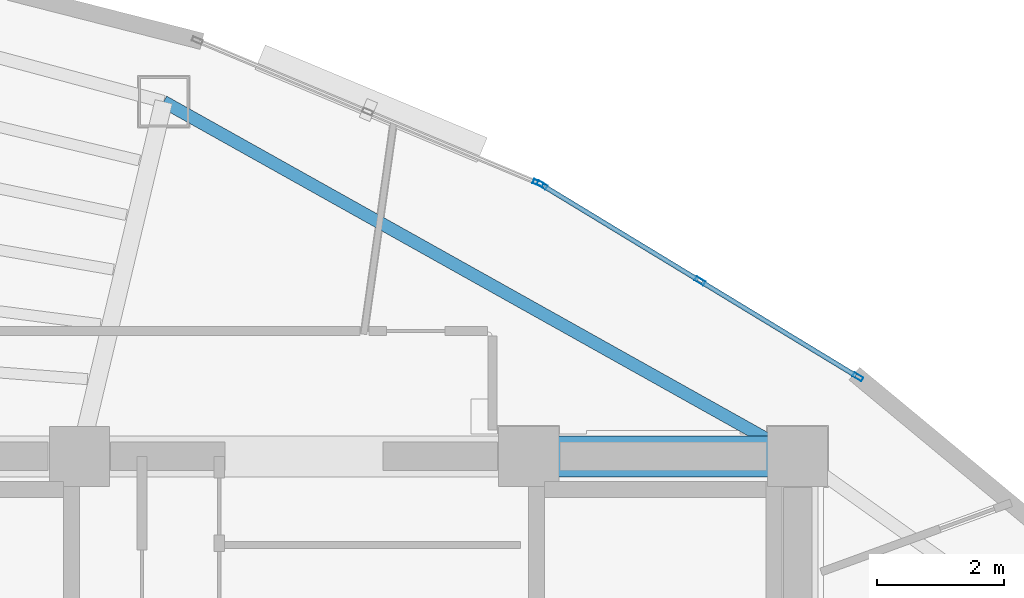
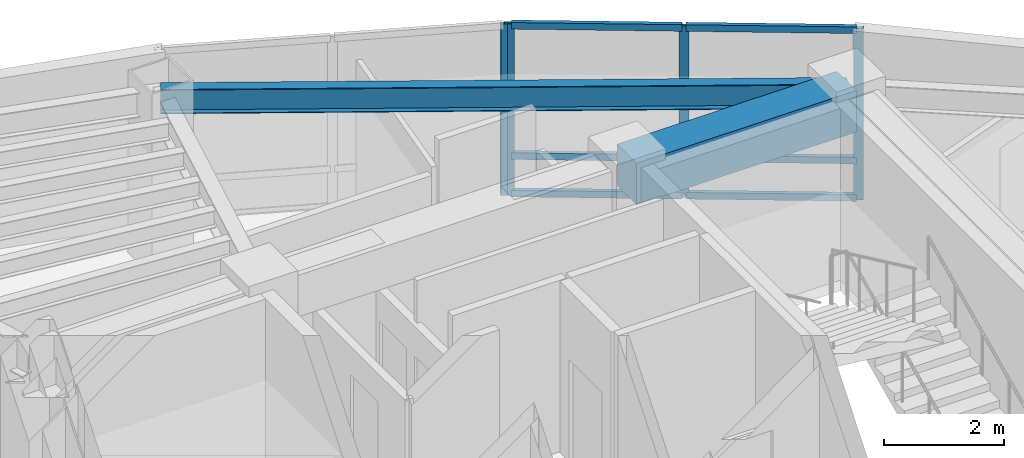
# One storey, part 10 of 16: 10 members, 2 beams, 2 elements without a shape of their own.
"""IFC4 building model written with IfcOpenShell, lengths in metres."""

import ifcopenshell
import ifcopenshell.guid

model = None  # the IFC model being written
_history = None  # IfcOwnerHistory: only IFC2X3 demands one
_inside = {}  # id of a spatial element -> (the spatial element, [elements in it])
_under = {}  # id of a project, library or spatial element -> (it, [spatial elements below it])
_declared = {}  # id of a project -> (the project, [libraries it declares])
_typed = {}  # id of a type object -> (the type object, [elements of that type])
_made_of = {}  # id of a material, layer set ... -> (it, [elements and type objects made of it])


def new_model(schema):
    """Start an empty IFC model of exactly this schema.

    Asked for "IFC4X3", IfcOpenShell would pick the latest addendum, in which some entities
    have other attributes; the version numbers below select the first issue.
    IFC2X3 requires an IfcOwnerHistory on every rooted entity: one is made here for all.
    """
    global model, _history
    if schema == "IFC4X3":
        model = ifcopenshell.file(schema_version=(4, 3, 0, 0))
    else:
        model = ifcopenshell.file(schema=schema)
    _inside.clear()
    _under.clear()
    _declared.clear()
    _typed.clear()
    _made_of.clear()
    _history = None
    if model.schema == "IFC2X3":
        org = make("IfcOrganization", Name="unknown")
        user = make(
            "IfcPersonAndOrganization",
            ThePerson=make("IfcPerson", FamilyName="unknown"),
            TheOrganization=org,
        )
        app = make(
            "IfcApplication",
            ApplicationDeveloper=org,
            Version="unknown",
            ApplicationFullName="unknown",
            ApplicationIdentifier="unknown",
        )
        _history = make(
            "IfcOwnerHistory",
            OwningUser=user,
            OwningApplication=app,
            ChangeAction="ADDED",
            CreationDate=0,
        )
    return model


def make(cls, **values):
    """One entity of the class cls with the attributes given. An attribute that is None is left unset."""
    return model.create_entity(
        cls, **{name: value for name, value in values.items() if value is not None}
    )


def rooted(cls, **values):
    """An entity with a GlobalId (a new one), such as an element, a storey or a relation."""
    return make(cls, GlobalId=ifcopenshell.guid.new(), OwnerHistory=_history, **values)


def si_unit(unit_type, name, prefix=None):
    """IfcSIUnit, for example si_unit("LENGTHUNIT", "METRE", prefix="MILLI")."""
    return make("IfcSIUnit", UnitType=unit_type, Prefix=prefix, Name=name)


def assignment(units):
    """IfcUnitAssignment: the units of a project."""
    return None if units is None else make("IfcUnitAssignment", Units=units)


def point(xyz):
    """IfcCartesianPoint."""
    return None if xyz is None else make("IfcCartesianPoint", Coordinates=xyz)


def direction(xyz):
    """IfcDirection."""
    return None if xyz is None else make("IfcDirection", DirectionRatios=xyz)


def frame(location, z_axis=None, x_axis=None):
    """IfcAxis2Placement3D, a coordinate frame: its origin and axes. An axis left out is left unset."""
    return make(
        "IfcAxis2Placement3D",
        Location=point(location),
        Axis=direction(z_axis),
        RefDirection=direction(x_axis),
    )


def frame_2d(location, x_axis=None):
    """IfcAxis2Placement2D, a coordinate frame in the plane: its origin and x axis."""
    return make(
        "IfcAxis2Placement2D", Location=point(location), RefDirection=direction(x_axis)
    )


def origin():
    """The frame at (0, 0, 0) with its axes left unset."""
    return frame((0.0, 0.0, 0.0))


def origin_2d():
    """The frame at (0, 0) in the plane with its x axis left unset."""
    return frame_2d((0.0, 0.0))


def place(relative_to, where):
    """IfcLocalPlacement: puts the frame where relative to a parent placement (None: the world)."""
    return make(
        "IfcLocalPlacement", PlacementRelTo=relative_to, RelativePlacement=where
    )


def context(
    kind, dimensions, precision=None, world=None, true_north=None, identifier=None
):
    """IfcGeometricRepresentationContext, for example the 3D "Model" context."""
    return make(
        "IfcGeometricRepresentationContext",
        ContextIdentifier=identifier,
        ContextType=kind,
        CoordinateSpaceDimension=dimensions,
        Precision=precision,
        WorldCoordinateSystem=world,
        TrueNorth=true_north,
    )


def subcontext(parent, identifier, kind, view, scale=None):
    """IfcGeometricRepresentationSubContext, for example "Body" below "Model"."""
    return make(
        "IfcGeometricRepresentationSubContext",
        ContextIdentifier=identifier,
        ContextType=kind,
        ParentContext=parent,
        TargetScale=scale,
        TargetView=view,
    )


def project(units=None, contexts=None):
    """IfcProject with its units and contexts."""
    return rooted(
        "IfcProject",
        Name="project",
        RepresentationContexts=contexts,
        UnitsInContext=assignment(units),
    )


def spatial(cls, under=None, at=None, **own):
    """A site, building, storey or space (cls), placed at a placement, below another one or the project."""
    s = rooted(cls, ObjectPlacement=at, **own)
    if under is not None:
        _under.setdefault(under.id(), (under, []))[1].append(s)
    return s


def profile(cls, at=None, kind="AREA", **sizes):
    """A parametric profile (cls). Its sizes go by their IFC names, for example OverallWidth=200.0."""
    return make(cls, ProfileType=kind, Position=at, **sizes)


def rectangle(**sizes):
    """IfcRectangleProfileDef."""
    return profile("IfcRectangleProfileDef", **sizes)


def hollow_rectangle(**sizes):
    """IfcRectangleHollowProfileDef."""
    return profile("IfcRectangleHollowProfileDef", **sizes)


def i_section(**sizes):
    """IfcIShapeProfileDef."""
    return profile("IfcIShapeProfileDef", **sizes)


def extrude(swept, where, along, depth):
    """IfcExtrudedAreaSolid: the profile swept, set in the frame where, extruded along a direction by depth."""
    return make(
        "IfcExtrudedAreaSolid",
        SweptArea=swept,
        Position=where,
        ExtrudedDirection=direction(along),
        Depth=depth,
    )


def shape(context_of_items, identifier, shape_type, items):
    """IfcShapeRepresentation: the items that make up one representation, for example the "Body"."""
    return make(
        "IfcShapeRepresentation",
        ContextOfItems=context_of_items,
        RepresentationIdentifier=identifier,
        RepresentationType=shape_type,
        Items=items,
    )


def material(Name=None, Category=None):
    """IfcMaterial."""
    return make("IfcMaterial", Name=Name, Category=Category)


def layer(
    of_material, thickness, ventilated=None, Name=None, Category=None, Priority=None
):
    """IfcMaterialLayer: one layer of a wall or slab, of a material (None: an air gap)."""
    return make(
        "IfcMaterialLayer",
        Material=of_material,
        LayerThickness=thickness,
        IsVentilated=ventilated,
        Name=Name,
        Category=Category,
        Priority=Priority,
    )


def layer_set(layers, Name=None):
    """IfcMaterialLayerSet."""
    return make("IfcMaterialLayerSet", MaterialLayers=layers, LayerSetName=Name)


def material_profile(
    of_material, cross_section, Name=None, Category=None, Priority=None
):
    """IfcMaterialProfile: a cross section and its material."""
    return make(
        "IfcMaterialProfile",
        Name=Name,
        Material=of_material,
        Profile=cross_section,
        Priority=Priority,
        Category=Category,
    )


def profile_set(profiles, Name=None, composite=None):
    """IfcMaterialProfileSet."""
    return make(
        "IfcMaterialProfileSet",
        Name=Name,
        MaterialProfiles=profiles,
        CompositeProfile=composite,
    )


def made_of(thing, what):
    """Note that an element or type object is made of a material, layer set ...; save() writes the relation."""
    if what is not None:
        _made_of.setdefault(what.id(), (what, []))[1].append(thing)
    return thing


def type_object(cls, material=None, **own):
    """A type object (cls), such as IfcWallType, which elements share."""
    return made_of(rooted(cls, **own), material)


def element(
    cls,
    number,
    at=None,
    inside=None,
    cuts=None,
    type_object=None,
    material=None,
    context=None,
    identifier="Body",
    shape_type=None,
    held_by="IfcProductDefinitionShape",
    body=None,
    shapes=None,
    **own,
):
    """One element of the class cls, such as IfcWall. Its Tag is "e" and its number.

    at: its placement. inside: the storey or other place that contains it. cuts: it is an
    opening in that element (IfcRelVoidsElement). A single representation is given by context,
    identifier, shape_type and body (its items); several are given by shapes. held_by: the class
    of the entity that holds the representations. save() writes the other relations.
    """
    e = rooted(cls, Tag="e%d" % number, ObjectPlacement=at, **own)
    if body is not None:
        shapes = [shape(context, identifier, shape_type, body)]
    if shapes is not None:
        e.Representation = make(held_by, Representations=shapes)
    if inside is not None:
        _inside.setdefault(inside.id(), (inside, []))[1].append(e)
    if cuts is not None:
        rooted(
            "IfcRelVoidsElement", RelatingBuildingElement=cuts, RelatedOpeningElement=e
        )
    if type_object is not None:
        _typed.setdefault(type_object.id(), (type_object, []))[1].append(e)
    return made_of(e, material)


def aggregate(whole, parts):
    """IfcRelAggregates: a whole, such as a stair, and the parts it consists of."""
    return rooted("IfcRelAggregates", RelatingObject=whole, RelatedObjects=parts)


def save(model, path):
    """Write the relations noted so far, then the file.

    IfcRelAggregates (storeys below a building ...), IfcRelContainedInSpatialStructure (elements
    in a storey), IfcRelDefinesByType, IfcRelAssociatesMaterial and IfcRelDeclares: one each for
    every whole, place, type object, material and project.
    """
    for whole, parts in _under.values():
        aggregate(whole, parts)
    for where, things in _inside.values():
        rooted(
            "IfcRelContainedInSpatialStructure",
            RelatedElements=things,
            RelatingStructure=where,
        )
    for kind, things in _typed.values():
        rooted("IfcRelDefinesByType", RelatedObjects=things, RelatingType=kind)
    for what, things in _made_of.values():
        rooted("IfcRelAssociatesMaterial", RelatedObjects=things, RelatingMaterial=what)
    for by, libraries in _declared.values():
        rooted("IfcRelDeclares", RelatingContext=by, RelatedDefinitions=libraries)
    model.write(path)


model = new_model("IFC4")

# Units and contexts
model_context = context("Model", 3, precision=1e-05, world=origin(), true_north=direction((0.0, 1.0)))
body_context = subcontext(model_context, "Body", "Model", "MODEL_VIEW")
ifc_project = project(units=[si_unit("LENGTHUNIT", "METRE"), si_unit("AREAUNIT", "SQUARE_METRE"), si_unit("VOLUMEUNIT", "CUBIC_METRE"), si_unit("PLANEANGLEUNIT", "RADIAN"), si_unit("MASSUNIT", "GRAM", prefix="KILO")], contexts=[model_context])

# Site, building, storey
site_placement = place(None, origin())
site = spatial("IfcSite", under=ifc_project, at=site_placement, CompositionType="ELEMENT")
building_placement = place(site_placement, origin())
building = spatial("IfcBuilding", under=site, at=building_placement, Name="Menara Vayukalpa", CompositionType="ELEMENT")
storey_placement = place(building_placement, frame((0.0, 0.0, 273.179931640625)))
storey = spatial("IfcBuildingStorey", under=building, at=storey_placement, Name="L69", CompositionType="ELEMENT", Elevation=273.179931640625)

# Beams
ifc_material_1 = material(Name="Concrete C60/75", Category="concrete")
ifc_material_profile_1 = material_profile(ifc_material_1, rectangle(XDim=0.64990234375, YDim=0.85009765625, at=origin_2d()), Name="RC 650x850")
ifc_profile_set_1 = profile_set([ifc_material_profile_1], Name="Concrete C60/75")
beam_type_1 = type_object("IfcBeamType", Name="BM-CB1", PredefinedType="BEAM", material=ifc_profile_set_1)
beam_1_placement = place(storey_placement, frame((29.14990234375, 26.800048828125, 3.074951171875), z_axis=(1.0, 0.0, 0.0), x_axis=(0.0, 1.0, 0.0)))
element("IfcBeam", 1, at=beam_1_placement, inside=storey, type_object=beam_type_1, Name="L69 Core Tie Beam CBR6", PredefinedType="BEAM", context=body_context, shape_type="SweptSolid", body=[
    extrude(rectangle(XDim=0.64990234375, YDim=0.85009765625, at=origin_2d()), origin(), (0.0, 0.0, 1.0), 4.25),
])
ifc_material_2 = material(Name="Steel S355", Category="steel")
ifc_material_profile_2 = material_profile(ifc_material_2, i_section(OverallWidth=0.199951171875, OverallDepth=0.5, WebThickness=0.010009765625, FlangeThickness=0.01611328125, at=origin_2d()), Name="WF 500x200x10x16")
ifc_profile_set_2 = profile_set([ifc_material_profile_2], Name="Steel S355")
beam_type_2 = type_object("IfcBeamType", Name="BM-SP3", PredefinedType="SPANDREL", material=ifc_profile_set_2)
beam_2_placement = place(storey_placement, frame((33.39990234375, 26.800048828125, 3.25), z_axis=(-0.87270577288, 0.48824648896, 0.0), x_axis=(-0.48824648896, -0.87270577288, 0.0)))
element("IfcBeam", 2, at=beam_2_placement, inside=storey, type_object=beam_type_2, Name="L69 Perimeter Spandrel Beam SP02", PredefinedType="SPANDREL", context=body_context, shape_type="SweptSolid", body=[
    extrude(i_section(OverallWidth=0.199951171875, OverallDepth=0.5, WebThickness=0.010009765625, FlangeThickness=0.01611328125, at=origin_2d()), origin(), (0.0, 0.0, 1.0), 11.479248046875),
])

# Curtain wall, members
ifc_material_3 = material(Name="Anodised Terracotta Aluminium Alloy 6063-T6", Category="masonry")
ifc_layer = layer(ifc_material_3, 0.1650390625)
ifc_layer_set = layer_set([ifc_layer], Name="Anodised Terracotta Aluminium Alloy 6063-T6")
curtain_wall_type = type_object("IfcCurtainWallType", Name="CW-CW6", PredefinedType="USERDEFINED", material=ifc_layer_set)
curtain_wall_1_placement = place(storey_placement, origin())
curtain_wall_1 = element("IfcCurtainWall", 3, at=curtain_wall_1_placement, inside=storey, type_object=curtain_wall_type, Name="L69 Observation and Executive Curtain Wall CW6 04", ObjectType="UNITISED", PredefinedType="USERDEFINED")
ifc_material_4 = material(Name="Anodised Terracotta Aluminium Alloy 6063-T6", Category="masonry")
ifc_material_profile_3 = material_profile(ifc_material_4, hollow_rectangle(XDim=0.070068359375, YDim=0.1650390625, WallThickness=0.00390625, at=origin_2d()), Name="ALU 70x165x4")
ifc_profile_set_3 = profile_set([ifc_material_profile_3], Name="Anodised Terracotta Aluminium Alloy 6063-T6")
member_type_1 = type_object("IfcMemberType", Name="CWM-CW6", PredefinedType="MULLION", material=ifc_profile_set_3)
member_1_placement = place(storey_placement, frame((34.35009765625, 28.056396484375, 0.0), z_axis=(0.0, 0.0, 1.0), x_axis=(-0.519175574558, -0.854667609532, 0.0)))
member_1 = element("IfcMember", 4, at=member_1_placement, type_object=member_type_1, Name="CW6 mullion 1", PredefinedType="MULLION", context=body_context, shape_type="SweptSolid", body=[
    extrude(hollow_rectangle(XDim=0.070068359375, YDim=0.1650390625, WallThickness=0.00390625, at=origin_2d()), origin(), (0.0, 0.0, 1.0), 3.5),
])
member_2_placement = place(storey_placement, frame((31.85546875, 29.57177734375, 0.0), z_axis=(0.0, 0.0, 1.0), x_axis=(-0.519175574558, -0.854667609532, 0.0)))
member_2 = element("IfcMember", 5, at=member_2_placement, type_object=member_type_1, Name="CW6 mullion 2", PredefinedType="MULLION", context=body_context, shape_type="SweptSolid", body=[
    extrude(hollow_rectangle(XDim=0.070068359375, YDim=0.1650390625, WallThickness=0.00390625, at=origin_2d()), origin(), (0.0, 0.0, 1.0), 3.5),
])
member_3_placement = place(storey_placement, frame((29.36083984375, 31.087158203125, 0.0), z_axis=(0.0, 0.0, 1.0), x_axis=(-0.519175574558, -0.854667609532, 0.0)))
member_3 = element("IfcMember", 6, at=member_3_placement, type_object=member_type_1, Name="CW6 mullion 3", PredefinedType="MULLION", context=body_context, shape_type="SweptSolid", body=[
    extrude(hollow_rectangle(XDim=0.070068359375, YDim=0.1650390625, WallThickness=0.00390625, at=origin_2d()), origin(), (0.0, 0.0, 1.0), 3.5),
])

# Curtain wall, member
curtain_wall_2_placement = place(storey_placement, origin())
curtain_wall_2 = element("IfcCurtainWall", 7, at=curtain_wall_2_placement, inside=storey, type_object=curtain_wall_type, Name="L69 Observation and Executive Curtain Wall CW6 05", ObjectType="UNITISED", PredefinedType="USERDEFINED")
member_4_placement = place(storey_placement, frame((29.298828125, 31.118896484375, 0.0), z_axis=(0.0, 0.0, 1.0), x_axis=(-0.385899911703, -0.922540653927, 0.0)))
member_4 = element("IfcMember", 8, at=member_4_placement, type_object=member_type_1, Name="CW6 mullion 1", PredefinedType="MULLION", context=body_context, shape_type="SweptSolid", body=[
    extrude(hollow_rectangle(XDim=0.070068359375, YDim=0.1650390625, WallThickness=0.00390625, at=origin_2d()), origin(), (0.0, 0.0, 1.0), 3.5),
])
aggregate(curtain_wall_2, [member_4])

# Member
ifc_material_5 = material(Name="Anodised Terracotta Aluminium Alloy 6063-T6", Category="masonry")
ifc_material_profile_4 = material_profile(ifc_material_5, hollow_rectangle(XDim=0.074951171875, YDim=0.135009765625, WallThickness=0.00390625, at=origin_2d()), Name="ALU 75x135x4")
ifc_profile_set_4 = profile_set([ifc_material_profile_4], Name="Anodised Terracotta Aluminium Alloy 6063-T6")
member_type_2 = type_object("IfcMemberType", Name="CWT-CW6", PredefinedType="USERDEFINED", material=ifc_profile_set_4)
member_5_placement = place(storey_placement, frame((34.320068359375, 28.07470703125, 0.03759765625), z_axis=(-0.854674800659, 0.519163736328, 0.0), x_axis=(-0.519163736328, -0.85467480066, 0.0)))
member_5 = element("IfcMember", 9, at=member_5_placement, type_object=member_type_2, Name="CW6 transom 1.1", ObjectType="TRANSOM", PredefinedType="USERDEFINED", context=body_context, shape_type="SweptSolid", body=[
    extrude(hollow_rectangle(XDim=0.074951171875, YDim=0.135009765625, WallThickness=0.00390625, at=origin_2d()), origin(), (0.0, 0.0, 1.0), 2.848876953125),
])

member_6_placement = place(storey_placement, frame((34.320068359375, 28.07470703125, 0.800048828125), z_axis=(-0.854674800659, 0.519163736328, 0.0), x_axis=(-0.519163736328, -0.85467480066, 0.0)))
member_6 = element("IfcMember", 10, at=member_6_placement, type_object=member_type_2, Name="CW6 transom 1.2", ObjectType="TRANSOM", PredefinedType="USERDEFINED", context=body_context, shape_type="SweptSolid", body=[
    extrude(hollow_rectangle(XDim=0.074951171875, YDim=0.135009765625, WallThickness=0.00390625, at=origin_2d()), origin(), (0.0, 0.0, 1.0), 2.848876953125),
])

member_7_placement = place(storey_placement, frame((34.320068359375, 28.07470703125, 3.462646484375), z_axis=(-0.854674800659, 0.519163736328, 0.0), x_axis=(-0.519163736328, -0.85467480066, 0.0)))
member_7 = element("IfcMember", 11, at=member_7_placement, type_object=member_type_2, Name="CW6 transom 1.3", ObjectType="TRANSOM", PredefinedType="USERDEFINED", context=body_context, shape_type="SweptSolid", body=[
    extrude(hollow_rectangle(XDim=0.074951171875, YDim=0.135009765625, WallThickness=0.00390625, at=origin_2d()), origin(), (0.0, 0.0, 1.0), 2.848876953125),
])

member_8_placement = place(storey_placement, frame((31.825439453125, 29.590087890625, 0.03759765625), z_axis=(-0.854689729536, 0.519139158825, 0.0), x_axis=(-0.519139158825, -0.854689729536, 0.0)))
member_8 = element("IfcMember", 12, at=member_8_placement, type_object=member_type_2, Name="CW6 transom 2.1", ObjectType="TRANSOM", PredefinedType="USERDEFINED", context=body_context, shape_type="SweptSolid", body=[
    extrude(hollow_rectangle(XDim=0.074951171875, YDim=0.135009765625, WallThickness=0.00390625, at=origin_2d()), origin(), (0.0, 0.0, 1.0), 2.848388671875),
])

member_9_placement = place(storey_placement, frame((31.825439453125, 29.590087890625, 0.800048828125), z_axis=(-0.854689729536, 0.519139158825, 0.0), x_axis=(-0.519139158825, -0.854689729536, 0.0)))
member_9 = element("IfcMember", 13, at=member_9_placement, type_object=member_type_2, Name="CW6 transom 2.2", ObjectType="TRANSOM", PredefinedType="USERDEFINED", context=body_context, shape_type="SweptSolid", body=[
    extrude(hollow_rectangle(XDim=0.074951171875, YDim=0.135009765625, WallThickness=0.00390625, at=origin_2d()), origin(), (0.0, 0.0, 1.0), 2.848388671875),
])

member_10_placement = place(storey_placement, frame((31.825439453125, 29.590087890625, 3.462646484375), z_axis=(-0.854689729536, 0.519139158825, 0.0), x_axis=(-0.519139158825, -0.854689729536, 0.0)))
member_10 = element("IfcMember", 14, at=member_10_placement, type_object=member_type_2, Name="CW6 transom 2.3", ObjectType="TRANSOM", PredefinedType="USERDEFINED", context=body_context, shape_type="SweptSolid", body=[
    extrude(hollow_rectangle(XDim=0.074951171875, YDim=0.135009765625, WallThickness=0.00390625, at=origin_2d()), origin(), (0.0, 0.0, 1.0), 2.848388671875),
])

aggregate(curtain_wall_1, [member_1, member_2, member_3, member_5, member_6, member_7, member_8, member_9, member_10])

save(model, "model.ifc")
